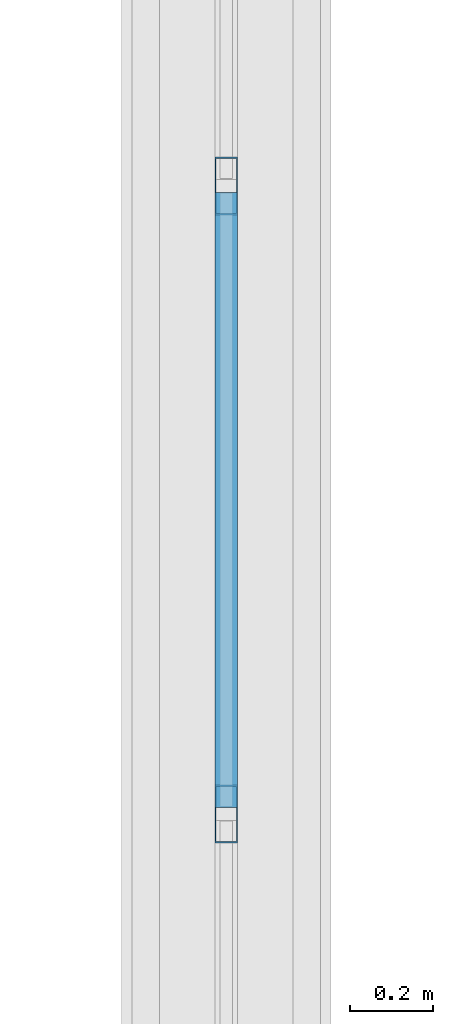
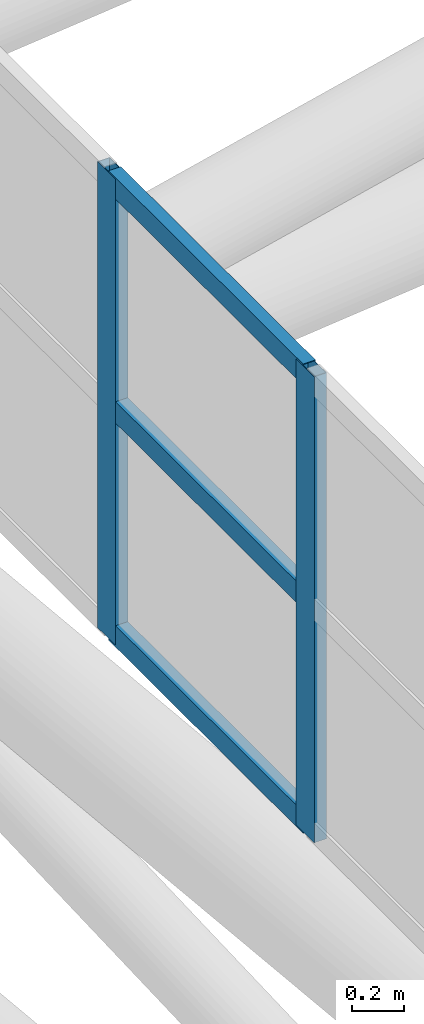
# One storey, part 203 of 397: 5 members, 1 element without a shape of its own.
"""IFC4 building model written with IfcOpenShell, lengths in metres."""

from ifc_helpers import new_model, si_unit, direction, frame, origin, origin_2d, place, context, subcontext, project, spatial, hollow_rectangle, extrude, material, material_profile, profile_set, type_object, element, aggregate, save


model = new_model("IFC4")

# Units and contexts
model_context = context("Model", 3, precision=1e-05, world=origin(), true_north=direction((0.0, 1.0)))
body_context = subcontext(model_context, "Body", "Model", "MODEL_VIEW")
ifc_project = project(units=[si_unit("LENGTHUNIT", "METRE"), si_unit("AREAUNIT", "SQUARE_METRE"), si_unit("VOLUMEUNIT", "CUBIC_METRE"), si_unit("PLANEANGLEUNIT", "RADIAN"), si_unit("MASSUNIT", "GRAM", prefix="KILO")], contexts=[model_context])

# Site, building, storey
site_placement = place(None, origin())
site = spatial("IfcSite", under=ifc_project, at=site_placement, CompositionType="ELEMENT")
building_placement = place(site_placement, origin())
building = spatial("IfcBuilding", under=site, at=building_placement, Name="Qandorah Velis Arena", CompositionType="ELEMENT")
storey_placement = place(building_placement, frame((0.0, 0.0, 27.5)))
storey = spatial("IfcBuildingStorey", under=building, at=storey_placement, Name="RF", CompositionType="ELEMENT", Elevation=27.5)

# Curtain wall, members
ifc_material_1 = material(Name="Solar-control low-E double glazing", Category="glass")
curtain_wall_type = type_object("IfcCurtainWallType", Name="ARC-CW-SYS10", PredefinedType="USERDEFINED", material=ifc_material_1)
curtain_wall_placement = place(storey_placement, origin())
curtain_wall = element("IfcCurtainWall", 1, at=curtain_wall_placement, inside=storey, type_object=curtain_wall_type, Name="Unitised curtain wall OCULUS-1-5", ObjectType="UNITISED CURTAIN WALL", PredefinedType="USERDEFINED")
ifc_material_2 = material(Name="Champagne-bronze anodized aluminium 6063-T6", Category="aluminium")
ifc_material_profile_1 = material_profile(ifc_material_2, hollow_rectangle(XDim=0.054931640625, YDim=0.139892578125, WallThickness=0.0029296875, at=origin_2d()), Name="ALU MULLION 55x140")
ifc_profile_set_1 = profile_set([ifc_material_profile_1], Name="Champagne-bronze anodized aluminium 6063-T6")
member_type_1 = type_object("IfcMemberType", Name="ARC-CWM-140", PredefinedType="MULLION", material=ifc_profile_set_1)
member_1_placement = place(storey_placement, frame((28.800048828125, 94.361083984375, 8.470947265625), z_axis=(0.0, 0.0, 1.0), x_axis=(-1.0, 0.0, 0.0)))
member_1 = element("IfcMember", 2, at=member_1_placement, type_object=member_type_1, Name="CW10 mullion 6", PredefinedType="MULLION", context=body_context, shape_type="SweptSolid", body=[
    extrude(hollow_rectangle(XDim=0.054931640625, YDim=0.139892578125, WallThickness=0.0029296875, at=origin_2d()), origin(), (0.0, 0.0, 1.0), 2.179931640625),
])
member_2_placement = place(storey_placement, frame((28.800048828125, 95.88330078125, 8.470947265625), z_axis=(0.0, 0.0, 1.0), x_axis=(-1.0, 0.0, 0.0)))
member_2 = element("IfcMember", 3, at=member_2_placement, type_object=member_type_1, Name="CW10 mullion 7", PredefinedType="MULLION", context=body_context, shape_type="SweptSolid", body=[
    extrude(hollow_rectangle(XDim=0.054931640625, YDim=0.139892578125, WallThickness=0.0029296875, at=origin_2d()), origin(), (0.0, 0.0, 1.0), 2.179931640625),
])
ifc_material_profile_2 = material_profile(ifc_material_2, hollow_rectangle(XDim=0.054931640625, YDim=0.10009765625, WallThickness=0.0029296875, at=origin_2d()), Name="ALU TRANSOM 55x100")
ifc_profile_set_2 = profile_set([ifc_material_profile_2], Name="Champagne-bronze anodized aluminium 6063-T6")
member_type_2 = type_object("IfcMemberType", Name="ARC-CWT-100", PredefinedType="USERDEFINED", material=ifc_profile_set_2)
member_3_placement = place(storey_placement, frame((28.800048828125, 94.376708984375, 8.513427734375), z_axis=(0.0, 1.0, 0.0), x_axis=(-1.0, 0.0, 0.0)))
member_3 = element("IfcMember", 4, at=member_3_placement, type_object=member_type_2, Name="CW10 transom 6.1", ObjectType="TRANSOM", PredefinedType="USERDEFINED", context=body_context, shape_type="SweptSolid", body=[
    extrude(hollow_rectangle(XDim=0.054931640625, YDim=0.10009765625, WallThickness=0.0029296875, at=origin_2d()), origin(), (0.0, 0.0, 1.0), 1.4912109375),
])
member_4_placement = place(storey_placement, frame((28.800048828125, 94.376708984375, 9.56103515625), z_axis=(0.0, 1.0, 0.0), x_axis=(-1.0, 0.0, 0.0)))
member_4 = element("IfcMember", 5, at=member_4_placement, type_object=member_type_2, Name="CW10 transom 6.2", ObjectType="TRANSOM", PredefinedType="USERDEFINED", context=body_context, shape_type="SweptSolid", body=[
    extrude(hollow_rectangle(XDim=0.054931640625, YDim=0.10009765625, WallThickness=0.0029296875, at=origin_2d()), origin(), (0.0, 0.0, 1.0), 1.4912109375),
])
member_5_placement = place(storey_placement, frame((28.800048828125, 94.376708984375, 10.6083984375), z_axis=(0.0, 1.0, 0.0), x_axis=(-1.0, 0.0, 0.0)))
member_5 = element("IfcMember", 6, at=member_5_placement, type_object=member_type_2, Name="CW10 transom 6.3", ObjectType="TRANSOM", PredefinedType="USERDEFINED", context=body_context, shape_type="SweptSolid", body=[
    extrude(hollow_rectangle(XDim=0.054931640625, YDim=0.10009765625, WallThickness=0.0029296875, at=origin_2d()), origin(), (0.0, 0.0, 1.0), 1.4912109375),
])
aggregate(curtain_wall, [member_1, member_2, member_3, member_4, member_5])

save(model, "model.ifc")
